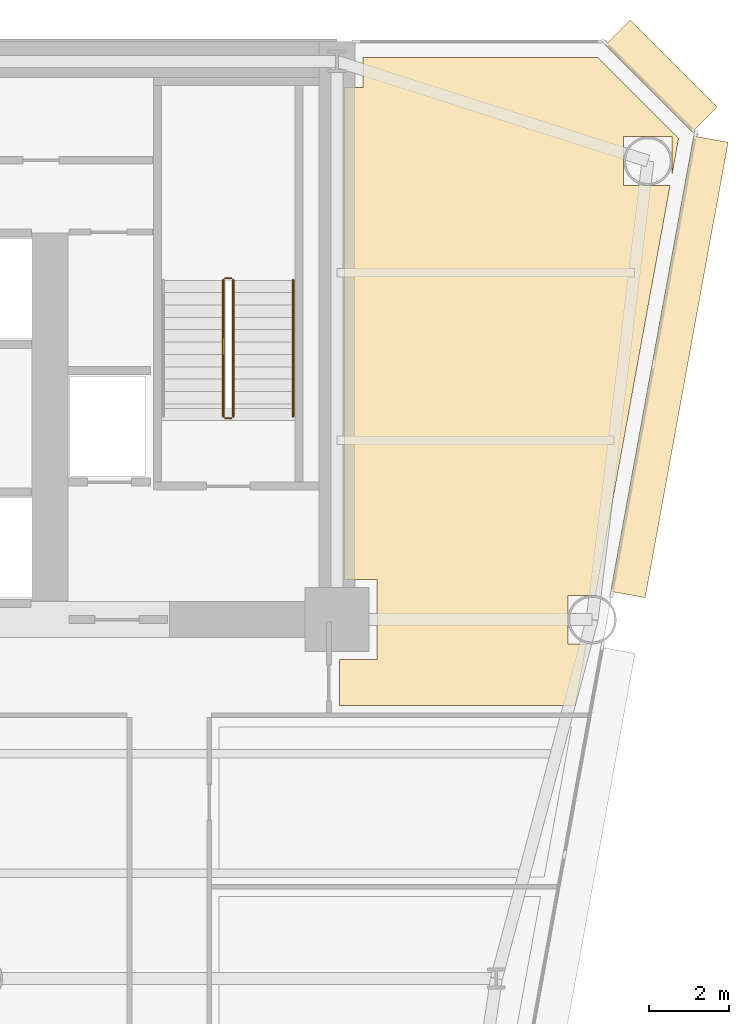
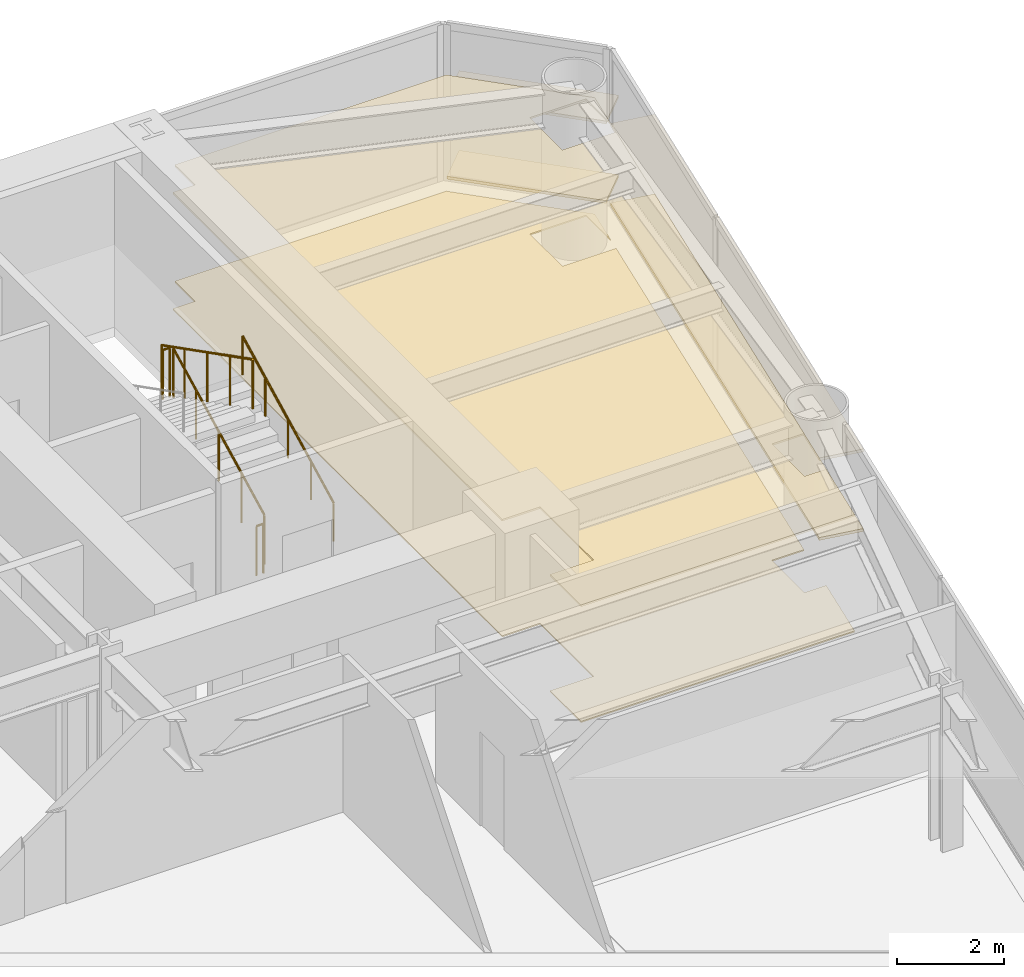
# One storey, part 14 of 14: 6 coverings, 5 railings.
"""IFC4 building model written with IfcOpenShell, lengths in metres."""

import ifcopenshell
import ifcopenshell.guid

model = None  # the IFC model being written
_history = None  # IfcOwnerHistory: only IFC2X3 demands one
_inside = {}  # id of a spatial element -> (the spatial element, [elements in it])
_under = {}  # id of a project, library or spatial element -> (it, [spatial elements below it])
_declared = {}  # id of a project -> (the project, [libraries it declares])
_typed = {}  # id of a type object -> (the type object, [elements of that type])
_made_of = {}  # id of a material, layer set ... -> (it, [elements and type objects made of it])


def new_model(schema):
    """Start an empty IFC model of exactly this schema.

    Asked for "IFC4X3", IfcOpenShell would pick the latest addendum, in which some entities
    have other attributes; the version numbers below select the first issue.
    IFC2X3 requires an IfcOwnerHistory on every rooted entity: one is made here for all.
    """
    global model, _history
    if schema == "IFC4X3":
        model = ifcopenshell.file(schema_version=(4, 3, 0, 0))
    else:
        model = ifcopenshell.file(schema=schema)
    _inside.clear()
    _under.clear()
    _declared.clear()
    _typed.clear()
    _made_of.clear()
    _history = None
    if model.schema == "IFC2X3":
        org = make("IfcOrganization", Name="unknown")
        user = make(
            "IfcPersonAndOrganization",
            ThePerson=make("IfcPerson", FamilyName="unknown"),
            TheOrganization=org,
        )
        app = make(
            "IfcApplication",
            ApplicationDeveloper=org,
            Version="unknown",
            ApplicationFullName="unknown",
            ApplicationIdentifier="unknown",
        )
        _history = make(
            "IfcOwnerHistory",
            OwningUser=user,
            OwningApplication=app,
            ChangeAction="ADDED",
            CreationDate=0,
        )
    return model


def make(cls, **values):
    """One entity of the class cls with the attributes given. An attribute that is None is left unset."""
    return model.create_entity(
        cls, **{name: value for name, value in values.items() if value is not None}
    )


def rooted(cls, **values):
    """An entity with a GlobalId (a new one), such as an element, a storey or a relation."""
    return make(cls, GlobalId=ifcopenshell.guid.new(), OwnerHistory=_history, **values)


def si_unit(unit_type, name, prefix=None):
    """IfcSIUnit, for example si_unit("LENGTHUNIT", "METRE", prefix="MILLI")."""
    return make("IfcSIUnit", UnitType=unit_type, Prefix=prefix, Name=name)


def assignment(units):
    """IfcUnitAssignment: the units of a project."""
    return None if units is None else make("IfcUnitAssignment", Units=units)


def point(xyz):
    """IfcCartesianPoint."""
    return None if xyz is None else make("IfcCartesianPoint", Coordinates=xyz)


def direction(xyz):
    """IfcDirection."""
    return None if xyz is None else make("IfcDirection", DirectionRatios=xyz)


def frame(location, z_axis=None, x_axis=None):
    """IfcAxis2Placement3D, a coordinate frame: its origin and axes. An axis left out is left unset."""
    return make(
        "IfcAxis2Placement3D",
        Location=point(location),
        Axis=direction(z_axis),
        RefDirection=direction(x_axis),
    )


def frame_2d(location, x_axis=None):
    """IfcAxis2Placement2D, a coordinate frame in the plane: its origin and x axis."""
    return make(
        "IfcAxis2Placement2D", Location=point(location), RefDirection=direction(x_axis)
    )


def origin():
    """The frame at (0, 0, 0) with its axes left unset."""
    return frame((0.0, 0.0, 0.0))


def origin_2d():
    """The frame at (0, 0) in the plane with its x axis left unset."""
    return frame_2d((0.0, 0.0))


def place(relative_to, where):
    """IfcLocalPlacement: puts the frame where relative to a parent placement (None: the world)."""
    return make(
        "IfcLocalPlacement", PlacementRelTo=relative_to, RelativePlacement=where
    )


def context(
    kind, dimensions, precision=None, world=None, true_north=None, identifier=None
):
    """IfcGeometricRepresentationContext, for example the 3D "Model" context."""
    return make(
        "IfcGeometricRepresentationContext",
        ContextIdentifier=identifier,
        ContextType=kind,
        CoordinateSpaceDimension=dimensions,
        Precision=precision,
        WorldCoordinateSystem=world,
        TrueNorth=true_north,
    )


def subcontext(parent, identifier, kind, view, scale=None):
    """IfcGeometricRepresentationSubContext, for example "Body" below "Model"."""
    return make(
        "IfcGeometricRepresentationSubContext",
        ContextIdentifier=identifier,
        ContextType=kind,
        ParentContext=parent,
        TargetScale=scale,
        TargetView=view,
    )


def project(units=None, contexts=None):
    """IfcProject with its units and contexts."""
    return rooted(
        "IfcProject",
        Name="project",
        RepresentationContexts=contexts,
        UnitsInContext=assignment(units),
    )


def spatial(cls, under=None, at=None, **own):
    """A site, building, storey or space (cls), placed at a placement, below another one or the project."""
    s = rooted(cls, ObjectPlacement=at, **own)
    if under is not None:
        _under.setdefault(under.id(), (under, []))[1].append(s)
    return s


def polyline(points):
    """IfcPolyline through the points."""
    return make("IfcPolyline", Points=[point(p) for p in points])


def profile(cls, at=None, kind="AREA", **sizes):
    """A parametric profile (cls). Its sizes go by their IFC names, for example OverallWidth=200.0."""
    return make(cls, ProfileType=kind, Position=at, **sizes)


def rectangle(**sizes):
    """IfcRectangleProfileDef."""
    return profile("IfcRectangleProfileDef", **sizes)


def circle(**sizes):
    """IfcCircleProfileDef."""
    return profile("IfcCircleProfileDef", **sizes)


def outline(outer, holes=None, kind="AREA"):
    """IfcArbitraryClosedProfileDef: a profile drawn as a closed curve; with holes, ...WithVoids."""
    if holes is None:
        return make("IfcArbitraryClosedProfileDef", ProfileType=kind, OuterCurve=outer)
    return make(
        "IfcArbitraryProfileDefWithVoids",
        ProfileType=kind,
        OuterCurve=outer,
        InnerCurves=holes,
    )


def extrude(swept, where, along, depth):
    """IfcExtrudedAreaSolid: the profile swept, set in the frame where, extruded along a direction by depth."""
    return make(
        "IfcExtrudedAreaSolid",
        SweptArea=swept,
        Position=where,
        ExtrudedDirection=direction(along),
        Depth=depth,
    )


def shape(context_of_items, identifier, shape_type, items):
    """IfcShapeRepresentation: the items that make up one representation, for example the "Body"."""
    return make(
        "IfcShapeRepresentation",
        ContextOfItems=context_of_items,
        RepresentationIdentifier=identifier,
        RepresentationType=shape_type,
        Items=items,
    )


def source(mapping_origin, context_of_items, identifier, shape_type, items):
    """IfcRepresentationMap: a shape defined once, which mapped items show again and again."""
    return make(
        "IfcRepresentationMap",
        MappingOrigin=mapping_origin,
        MappedRepresentation=shape(context_of_items, identifier, shape_type, items),
    )


def transform(
    local_origin,
    x_axis=None,
    y_axis=None,
    z_axis=None,
    scale=None,
    scale2=None,
    scale3=None,
    uniform=True,
):
    """IfcCartesianTransformationOperator3D, or its non-uniform kind. x_axis, y_axis, z_axis: its Axis1, 2, 3."""
    if uniform:
        return make(
            "IfcCartesianTransformationOperator3D",
            Axis1=direction(x_axis),
            Axis2=direction(y_axis),
            LocalOrigin=point(local_origin),
            Scale=scale,
            Axis3=direction(z_axis),
        )
    return make(
        "IfcCartesianTransformationOperator3DnonUniform",
        Axis1=direction(x_axis),
        Axis2=direction(y_axis),
        LocalOrigin=point(local_origin),
        Scale=scale,
        Axis3=direction(z_axis),
        Scale2=scale2,
        Scale3=scale3,
    )


def mapped(mapping_source, mapping_target):
    """IfcMappedItem: shows the shape of a source again, moved by a transform."""
    return make(
        "IfcMappedItem", MappingSource=mapping_source, MappingTarget=mapping_target
    )


def material(Name=None, Category=None):
    """IfcMaterial."""
    return make("IfcMaterial", Name=Name, Category=Category)


def layer(
    of_material, thickness, ventilated=None, Name=None, Category=None, Priority=None
):
    """IfcMaterialLayer: one layer of a wall or slab, of a material (None: an air gap)."""
    return make(
        "IfcMaterialLayer",
        Material=of_material,
        LayerThickness=thickness,
        IsVentilated=ventilated,
        Name=Name,
        Category=Category,
        Priority=Priority,
    )


def layer_set(layers, Name=None):
    """IfcMaterialLayerSet."""
    return make("IfcMaterialLayerSet", MaterialLayers=layers, LayerSetName=Name)


def made_of(thing, what):
    """Note that an element or type object is made of a material, layer set ...; save() writes the relation."""
    if what is not None:
        _made_of.setdefault(what.id(), (what, []))[1].append(thing)
    return thing


def type_object(cls, material=None, **own):
    """A type object (cls), such as IfcWallType, which elements share."""
    return made_of(rooted(cls, **own), material)


def element(
    cls,
    number,
    at=None,
    inside=None,
    cuts=None,
    type_object=None,
    material=None,
    context=None,
    identifier="Body",
    shape_type=None,
    held_by="IfcProductDefinitionShape",
    body=None,
    shapes=None,
    **own,
):
    """One element of the class cls, such as IfcWall. Its Tag is "e" and its number.

    at: its placement. inside: the storey or other place that contains it. cuts: it is an
    opening in that element (IfcRelVoidsElement). A single representation is given by context,
    identifier, shape_type and body (its items); several are given by shapes. held_by: the class
    of the entity that holds the representations. save() writes the other relations.
    """
    e = rooted(cls, Tag="e%d" % number, ObjectPlacement=at, **own)
    if body is not None:
        shapes = [shape(context, identifier, shape_type, body)]
    if shapes is not None:
        e.Representation = make(held_by, Representations=shapes)
    if inside is not None:
        _inside.setdefault(inside.id(), (inside, []))[1].append(e)
    if cuts is not None:
        rooted(
            "IfcRelVoidsElement", RelatingBuildingElement=cuts, RelatedOpeningElement=e
        )
    if type_object is not None:
        _typed.setdefault(type_object.id(), (type_object, []))[1].append(e)
    return made_of(e, material)


def aggregate(whole, parts):
    """IfcRelAggregates: a whole, such as a stair, and the parts it consists of."""
    return rooted("IfcRelAggregates", RelatingObject=whole, RelatedObjects=parts)


def save(model, path):
    """Write the relations noted so far, then the file.

    IfcRelAggregates (storeys below a building ...), IfcRelContainedInSpatialStructure (elements
    in a storey), IfcRelDefinesByType, IfcRelAssociatesMaterial and IfcRelDeclares: one each for
    every whole, place, type object, material and project.
    """
    for whole, parts in _under.values():
        aggregate(whole, parts)
    for where, things in _inside.values():
        rooted(
            "IfcRelContainedInSpatialStructure",
            RelatedElements=things,
            RelatingStructure=where,
        )
    for kind, things in _typed.values():
        rooted("IfcRelDefinesByType", RelatedObjects=things, RelatingType=kind)
    for what, things in _made_of.values():
        rooted("IfcRelAssociatesMaterial", RelatedObjects=things, RelatingMaterial=what)
    for by, libraries in _declared.values():
        rooted("IfcRelDeclares", RelatingContext=by, RelatedDefinitions=libraries)
    model.write(path)


model = new_model("IFC4")

# Units and contexts
model_context = context("Model", 3, precision=1e-05, world=origin(), true_north=direction((0.0, 1.0)))
body_context = subcontext(model_context, "Body", "Model", "MODEL_VIEW")
ifc_project = project(units=[si_unit("LENGTHUNIT", "METRE"), si_unit("AREAUNIT", "SQUARE_METRE"), si_unit("VOLUMEUNIT", "CUBIC_METRE"), si_unit("PLANEANGLEUNIT", "RADIAN"), si_unit("MASSUNIT", "GRAM", prefix="KILO")], contexts=[model_context])

# Site, building, storey
site_placement = place(None, origin())
site = spatial("IfcSite", under=ifc_project, at=site_placement, CompositionType="ELEMENT")
building_placement = place(site_placement, origin())
building = spatial("IfcBuilding", under=site, at=building_placement, Name="Vaeldorn Concourse Tower", CompositionType="ELEMENT")
storey_placement = place(building_placement, frame((0.0, 0.0, 49.199951171875)))
storey = spatial("IfcBuildingStorey", under=building, at=storey_placement, Name="L12", CompositionType="ELEMENT", Elevation=49.199951171875)

# Coverings
ifc_material_1 = material(Name="Acoustic Mineral Fibre Board", Category="gypsum")
ifc_layer_1 = layer(ifc_material_1, 0.0400390625)
ifc_layer_set_1 = layer_set([ifc_layer_1], Name="Acoustic Mineral Fibre Board")
covering_type_1 = type_object("IfcCoveringType", Name="COV-CEIL-ACOUSTIC", PredefinedType="CEILING", material=ifc_layer_set_1)
covering_1_placement = place(storey_placement, frame((0.0, 0.0, 2.650146484375)))
element("IfcCovering", 1, at=covering_1_placement, inside=storey, type_object=covering_type_1, Name="Suspended Acoustic Ceiling L12-5", PredefinedType="CEILING", context=body_context, shape_type="SweptSolid", body=[
    extrude(outline(polyline([(54.179931640625, 49.840087890625), (54.659912109375, 49.840087890625), (54.659912109375, 50.60009765625), (60.5341796875, 50.60009765625), (62.56884765625, 48.5654296875), (62.409423828125, 47.689697265625), (62.409423828125, 48.609619140625), (61.1904296875, 48.609619140625), (61.1904296875, 47.390380859375), (62.35498046875, 47.390380859375), (60.521484375, 37.320068359375), (60.521484375, 37.320068359375), (60.483154296875, 37.109619140625), (59.79052734375, 37.109619140625), (59.79052734375, 35.890380859375), (60.26123046875, 35.890380859375), (59.97900390625, 34.340087890625), (54.06005859375, 34.340087890625), (54.06005859375, 35.5), (55.0, 35.5), (55.0, 37.5), (54.179931640625, 37.5), (54.179931640625, 49.840087890625)])), origin(), (0.0, 0.0, 1.0), 0.039794921875),
])
ifc_material_2 = material(Name="Honed Limestone Terrazzo Flooring", Category="masonry")
ifc_layer_2 = layer(ifc_material_2, 0.0400390625)
ifc_layer_set_2 = layer_set([ifc_layer_2], Name="Honed Limestone Terrazzo Flooring")
covering_type_2 = type_object("IfcCoveringType", Name="COV-FLOOR-STONE", PredefinedType="FLOORING", material=ifc_layer_set_2)
covering_2_placement = place(storey_placement, origin())
element("IfcCovering", 2, at=covering_2_placement, inside=storey, type_object=covering_type_2, Name="Floor Finish Covering L12-5", PredefinedType="FLOORING", context=body_context, shape_type="SweptSolid", body=[
    extrude(outline(polyline([(54.179931640625, 49.840087890625), (54.659912109375, 49.840087890625), (54.659912109375, 50.60009765625), (60.5341796875, 50.60009765625), (62.56884765625, 48.5654296875), (62.409423828125, 47.689697265625), (62.409423828125, 48.609619140625), (61.1904296875, 48.609619140625), (61.1904296875, 47.390380859375), (62.35498046875, 47.390380859375), (60.521484375, 37.320068359375), (60.521484375, 37.320068359375), (60.483154296875, 37.109619140625), (59.79052734375, 37.109619140625), (59.79052734375, 35.890380859375), (60.26123046875, 35.890380859375), (59.97900390625, 34.340087890625), (54.06005859375, 34.340087890625), (54.06005859375, 35.5), (55.0, 35.5), (55.0, 37.5), (54.179931640625, 37.5), (54.179931640625, 49.840087890625)])), origin(), (0.0, 0.0, 1.0), 0.030029296875),
])

# Railings
ifc_material_3 = material(Name="Anodised Bronze Aluminium", Category="aluminium")
railing_type_1 = type_object("IfcRailingType", Name="RL-STAIR-GUARD", PredefinedType="GUARDRAIL", material=ifc_material_3)
railing_1_placement = place(storey_placement, frame((51.39990234375, 41.60009765625, 0.158447265625)))
element("IfcRailing", 3, at=railing_1_placement, inside=storey, type_object=railing_type_1, Name="L12 ST-2 stair guard 1", PredefinedType="GUARDRAIL", context=body_context, shape_type="SweptSolid", body=[
    extrude(circle(Radius=0.02392578125, at=origin_2d()), frame((0.0, 0.0, 1.1259765625), z_axis=(0.0, 0.890555807335, 0.454873997962), x_axis=(-1.0, 0.0, 0.0)), (0.0, 0.0, 1.0), 3.828857421875),
    extrude(circle(Radius=0.02099609375, at=origin_2d()), origin(), (0.0, 0.0, 1.0), 1.101806640625),
    extrude(circle(Radius=0.02099609375, at=origin_2d()), frame((0.0, 0.8525390625, 0.435546875)), (0.0, 0.0, 1.0), 1.101806640625),
    extrude(circle(Radius=0.02099609375, at=origin_2d()), frame((0.0, 1.705078125, 0.870849609375)), (0.0, 0.0, 1.0), 1.101806640625),
    extrude(circle(Radius=0.02099609375, at=origin_2d()), frame((0.0, 2.557373046875, 1.30615234375)), (0.0, 0.0, 1.0), 1.101806640625),
    extrude(circle(Radius=0.02099609375, at=origin_2d()), frame((0.0, 3.409912109375, 1.74169921875)), (0.0, 0.0, 1.0), 1.101806640625),
])
railing_2_placement = place(storey_placement, frame((51.35009765625, 45.06005859375, 1.900146484375)))
element("IfcRailing", 4, at=railing_2_placement, inside=storey, type_object=railing_type_1, Name="L12 ST-2 stair guard 2", PredefinedType="GUARDRAIL", context=body_context, shape_type="SweptSolid", body=[
    extrude(circle(Radius=0.02392578125, at=origin_2d()), frame((0.0, 0.0, 1.1259765625), z_axis=(-1.0, 0.0, 0.0), x_axis=(0.0, -1.0, 0.0)), (0.0, 0.0, 1.0), 0.150146484375),
    extrude(circle(Radius=0.02099609375, at=origin_2d()), origin(), (0.0, 0.0, 1.0), 1.101806640625),
    extrude(circle(Radius=0.02099609375, at=origin_2d()), frame((-0.150146484375, 0.0, 0.0)), (0.0, 0.0, 1.0), 1.101806640625),
])
railing_3_placement = place(storey_placement, frame((51.14990234375, 45.010009765625, 2.058349609375)))
element("IfcRailing", 5, at=railing_3_placement, inside=storey, type_object=railing_type_1, Name="L12 ST-2 stair guard 3", PredefinedType="GUARDRAIL", context=body_context, shape_type="SweptSolid", body=[
    extrude(circle(Radius=0.02392578125, at=origin_2d()), frame((0.0, 0.0, 1.1259765625), z_axis=(0.0, -0.890555807335, 0.454873997962), x_axis=(1.0, 0.0, 0.0)), (0.0, 0.0, 1.0), 3.828857421875),
    extrude(circle(Radius=0.02099609375, at=origin_2d()), origin(), (0.0, 0.0, 1.0), 1.101806640625),
    extrude(circle(Radius=0.02099609375, at=origin_2d()), frame((0.0, -0.8525390625, 0.435546875)), (0.0, 0.0, 1.0), 1.101806640625),
    extrude(circle(Radius=0.02099609375, at=origin_2d()), frame((0.0, -1.705078125, 0.870849609375)), (0.0, 0.0, 1.0), 1.101806640625),
    extrude(circle(Radius=0.02099609375, at=origin_2d()), frame((0.0, -2.557373046875, 1.30615234375)), (0.0, 0.0, 1.0), 1.101806640625),
    extrude(circle(Radius=0.02099609375, at=origin_2d()), frame((0.0, -3.409912109375, 1.74169921875)), (0.0, 0.0, 1.0), 1.101806640625),
])
railing_4_placement = place(storey_placement, frame((51.35009765625, 41.550048828125, 0.0)))
element("IfcRailing", 6, at=railing_4_placement, inside=storey, type_object=railing_type_1, Name="L12 ST-2 stair guard 4", PredefinedType="GUARDRAIL", context=body_context, shape_type="SweptSolid", body=[
    extrude(circle(Radius=0.02392578125, at=origin_2d()), frame((0.0, 0.0, 1.1259765625), z_axis=(-1.0, 0.0, 0.0), x_axis=(0.0, -1.0, 0.0)), (0.0, 0.0, 1.0), 0.150146484375),
    extrude(circle(Radius=0.02099609375, at=origin_2d()), origin(), (0.0, 0.0, 1.0), 1.101806640625),
    extrude(circle(Radius=0.02099609375, at=origin_2d()), frame((-0.150146484375, 0.0, 0.0)), (0.0, 0.0, 1.0), 1.101806640625),
])
railing_type_2 = type_object("IfcRailingType", Name="RL-STAIR-HANDRAIL", PredefinedType="HANDRAIL", material=ifc_material_3)
railing_5_placement = place(storey_placement, frame((52.89990234375, 41.60009765625, 0.158447265625)))
element("IfcRailing", 7, at=railing_5_placement, inside=storey, type_object=railing_type_2, Name="L12 ST-2 stair handrail 1", PredefinedType="HANDRAIL", context=body_context, shape_type="SweptSolid", body=[
    extrude(circle(Radius=0.02392578125, at=origin_2d()), frame((0.0, 0.0, 0.8759765625), z_axis=(0.0, 0.890555807335, 0.454873997962), x_axis=(-1.0, 0.0, 0.0)), (0.0, 0.0, 1.0), 3.828857421875),
    extrude(circle(Radius=0.02099609375, at=origin_2d()), origin(), (0.0, 0.0, 1.0), 0.851806640625),
    extrude(circle(Radius=0.02099609375, at=origin_2d()), frame((0.0, 0.8525390625, 0.435546875)), (0.0, 0.0, 1.0), 0.851806640625),
    extrude(circle(Radius=0.02099609375, at=origin_2d()), frame((0.0, 1.705078125, 0.870849609375)), (0.0, 0.0, 1.0), 0.851806640625),
    extrude(circle(Radius=0.02099609375, at=origin_2d()), frame((0.0, 2.557373046875, 1.30615234375)), (0.0, 0.0, 1.0), 0.851806640625),
    extrude(circle(Radius=0.02099609375, at=origin_2d()), frame((0.0, 3.409912109375, 1.74169921875)), (0.0, 0.0, 1.0), 0.851806640625),
])

# Coverings
ifc_layer_3 = layer(ifc_material_3, 0.06494140625)
ifc_layer_set_3 = layer_set([ifc_layer_3], Name="Anodised Bronze Aluminium")
covering_type_3 = type_object("IfcCoveringType", Name="SD-BRONZE-SUNSHADE", PredefinedType="USERDEFINED", material=ifc_layer_set_3)
shared_shape_1 = source(origin(), body_context, "Body", "SweptSolid", [
    extrude(rectangle(XDim=3.0927734375, YDim=0.8798828125, at=origin_2d()), origin(), (0.0, 0.0, 1.0), 0.06494140625),
])
for number, where, z_axis, x_axis, name in (
    (8, (62.1328125, 50.1328125, 0.047607421875), (0.0, 0.0, 1.0), (-0.707106781187, 0.707106781187, 0.0), "Horizontal Bronze Sunshade L12-E08.1.1"),
    (9, (62.1328125, 50.1328125, 1.86767578125), (0.0, 0.0, 1.0), (-0.707106781187, 0.707106781187, 0.0), "Horizontal Bronze Sunshade L12-E08.1.2"),
):
    element("IfcCovering", number, at=place(storey_placement, frame(where, z_axis=z_axis, x_axis=x_axis)), inside=storey, type_object=covering_type_3, Name=name, ObjectType="SUNSHADE", PredefinedType="USERDEFINED", context=body_context, shape_type="MappedRepresentation", body=[
        mapped(shared_shape_1, transform((0.0, 0.0, 0.0), scale=1.0)),
    ])
shared_shape_2 = source(origin(), body_context, "Body", "SweptSolid", [
    extrude(rectangle(XDim=11.61083984375, YDim=0.8798828125, at=origin_2d()), origin(), (0.0, 0.0, 1.0), 0.06494140625),
])
for number, where, z_axis, x_axis, name in (
    (10, (62.33935546875, 42.838134765625, 0.047607421875), (0.0, 0.0, 1.0), (0.179128473913, 0.983825690777, 0.0), "Horizontal Bronze Sunshade L12-E07.2.1"),
    (11, (62.33935546875, 42.838134765625, 1.86767578125), (0.0, 0.0, 1.0), (0.179128473913, 0.983825690777, 0.0), "Horizontal Bronze Sunshade L12-E07.2.2"),
):
    element("IfcCovering", number, at=place(storey_placement, frame(where, z_axis=z_axis, x_axis=x_axis)), inside=storey, type_object=covering_type_3, Name=name, ObjectType="SUNSHADE", PredefinedType="USERDEFINED", context=body_context, shape_type="MappedRepresentation", body=[
        mapped(shared_shape_2, transform((0.0, 0.0, 0.0), scale=1.0)),
    ])

save(model, "model.ifc")
